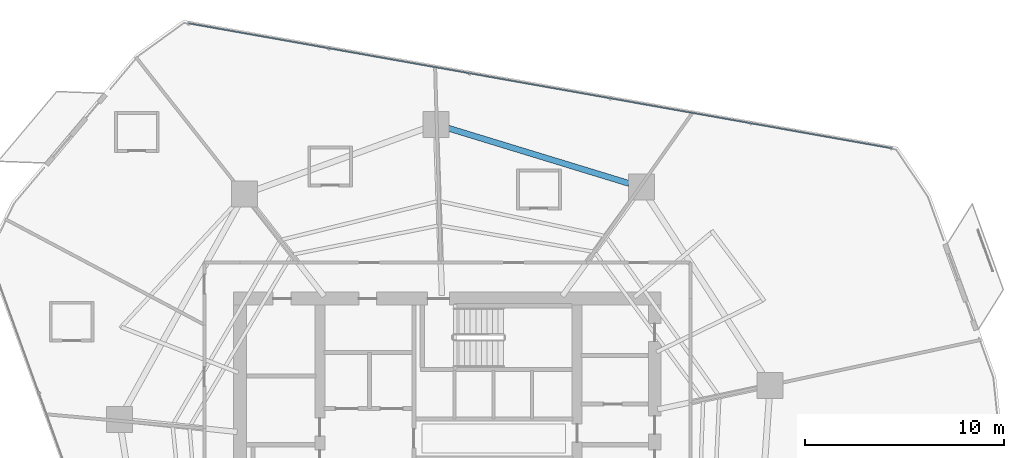
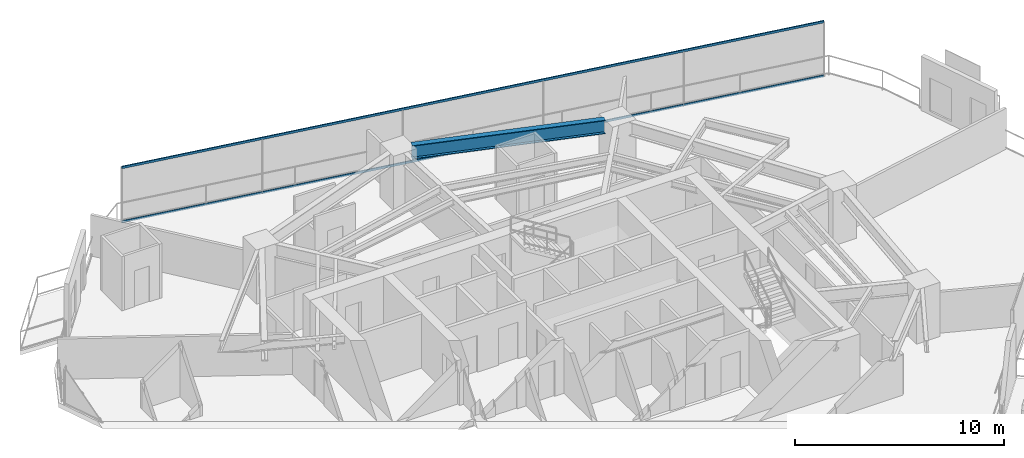
# One storey, part 22 of 33: 2 members, 1 beam, 1 element without a shape of its own.
"""IFC4 building model written with IfcOpenShell, lengths in metres."""

from ifc_helpers import new_model, si_unit, direction, frame, origin, origin_2d, place, context, subcontext, project, spatial, hollow_rectangle, i_section, extrude, material, layer, layer_set, material_profile, profile_set, type_object, element, aggregate, save


model = new_model("IFC4")

# Units and contexts
model_context = context("Model", 3, precision=1e-05, world=origin(), true_north=direction((0.0, 1.0)))
body_context = subcontext(model_context, "Body", "Model", "MODEL_VIEW")
ifc_project = project(units=[si_unit("LENGTHUNIT", "METRE"), si_unit("AREAUNIT", "SQUARE_METRE"), si_unit("VOLUMEUNIT", "CUBIC_METRE"), si_unit("PLANEANGLEUNIT", "RADIAN"), si_unit("MASSUNIT", "GRAM", prefix="KILO")], contexts=[model_context])

# Site, building, storey
site_placement = place(None, origin())
site = spatial("IfcSite", under=ifc_project, at=site_placement, CompositionType="ELEMENT")
building_placement = place(site_placement, origin())
building = spatial("IfcBuilding", under=site, at=building_placement, Name="Qarnah Convention Tower", CompositionType="ELEMENT")
storey_placement = place(building_placement, frame((0.0, 0.0, 30.449951171875)))
storey = spatial("IfcBuildingStorey", under=building, at=storey_placement, Name="L06", CompositionType="ELEMENT", Elevation=30.449951171875)

# Beam
ifc_material_1 = material(Name="Structural steel S355JR", Category="steel")
ifc_material_profile_1 = material_profile(ifc_material_1, i_section(OverallWidth=0.300048828125, OverallDepth=0.800048828125, WebThickness=0.01806640625, FlangeThickness=0.032958984375, at=origin_2d()), Name="HEB800")
ifc_profile_set_1 = profile_set([ifc_material_profile_1], Name="Structural steel S355JR")
beam_type = type_object("IfcBeamType", Name="BM-RING-HEB800", PredefinedType="BEAM", material=ifc_profile_set_1)
beam_placement = place(storey_placement, frame((46.31591796875, 39.97607421875, 2.77001953125), z_axis=(-0.956298871663, 0.292390950707, 0.0), x_axis=(-0.292390950707, -0.956298871663, 0.0)))
element("IfcBeam", 1, at=beam_placement, inside=storey, type_object=beam_type, Name="L06 beam BM-L06-SPN-02", PredefinedType="BEAM", context=body_context, shape_type="SweptSolid", body=[
    extrude(i_section(OverallWidth=0.300048828125, OverallDepth=0.800048828125, WebThickness=0.01806640625, FlangeThickness=0.032958984375, at=origin_2d()), origin(), (0.0, 0.0, 1.0), 9.4970703125),
])

# Curtain wall, members
ifc_material_2 = material(Name="Tempered Low-E dark glass", Category="glass")
ifc_layer = layer(ifc_material_2, 0.16796875)
ifc_layer_set = layer_set([ifc_layer], Name="Tempered Low-E dark glass")
curtain_wall_type = type_object("IfcCurtainWallType", Name="CWS-01", PredefinedType="NOTDEFINED", material=ifc_layer_set)
curtain_wall_placement = place(storey_placement, origin())
curtain_wall = element("IfcCurtainWall", 2, at=curtain_wall_placement, inside=storey, type_object=curtain_wall_type, Name="L06 unitised curtain wall CW-L06-F1", PredefinedType="NOTDEFINED")
ifc_material_3 = material(Name="Black anodised aluminium", Category="aluminium")
ifc_material_profile_2 = material_profile(ifc_material_3, hollow_rectangle(XDim=0.06005859375, YDim=0.1298828125, WallThickness=0.00390625, at=origin_2d()), Name="TRN-60X130")
ifc_profile_set_2 = profile_set([ifc_material_profile_2], Name="Black anodised aluminium")
member_type = type_object("IfcMemberType", Name="TRN-T1", PredefinedType="USERDEFINED", material=ifc_profile_set_2)
member_1_placement = place(storey_placement, frame((24.218994140625, 48.008056640625, 0.0), z_axis=(0.984566528313, -0.175010717746, 0.0), x_axis=(0.175010717746, 0.984566528313, 0.0)))
member_1 = element("IfcMember", 3, at=member_1_placement, type_object=member_type, Name="CW-L06-F1 transom 1", ObjectType="TRANSOM", PredefinedType="USERDEFINED", context=body_context, shape_type="SweptSolid", body=[
    extrude(hollow_rectangle(XDim=0.06005859375, YDim=0.1298828125, WallThickness=0.00390625, at=origin_2d()), origin(), (0.0, 0.0, 1.0), 35.809814453125),
])
member_2_placement = place(storey_placement, frame((24.218994140625, 48.008056640625, 3.170166015625), z_axis=(0.984566528313, -0.175010717746, 0.0), x_axis=(0.175010717746, 0.984566528313, 0.0)))
member_2 = element("IfcMember", 4, at=member_2_placement, type_object=member_type, Name="CW-L06-F1 transom 2", ObjectType="TRANSOM", PredefinedType="USERDEFINED", context=body_context, shape_type="SweptSolid", body=[
    extrude(hollow_rectangle(XDim=0.06005859375, YDim=0.1298828125, WallThickness=0.00390625, at=origin_2d()), origin(), (0.0, 0.0, 1.0), 35.809814453125),
])
aggregate(curtain_wall, [member_1, member_2])

save(model, "model.ifc")
